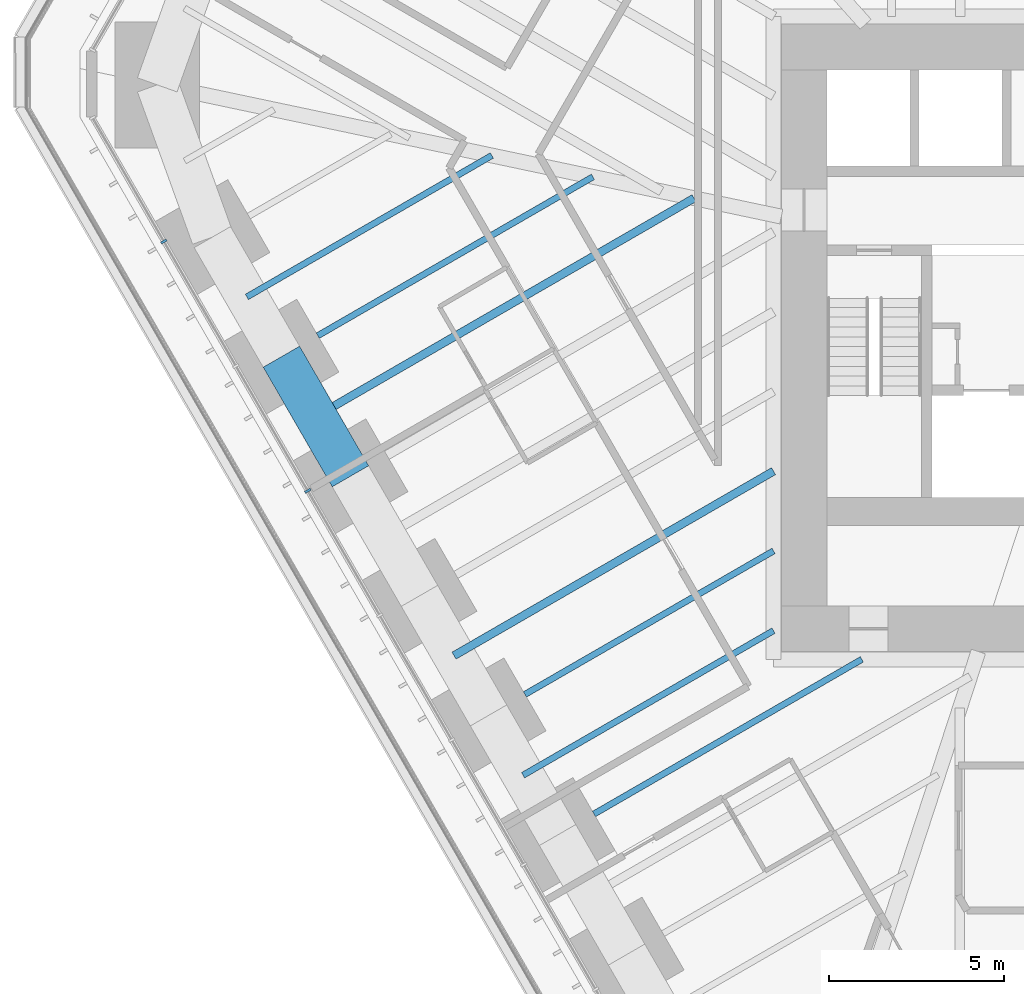
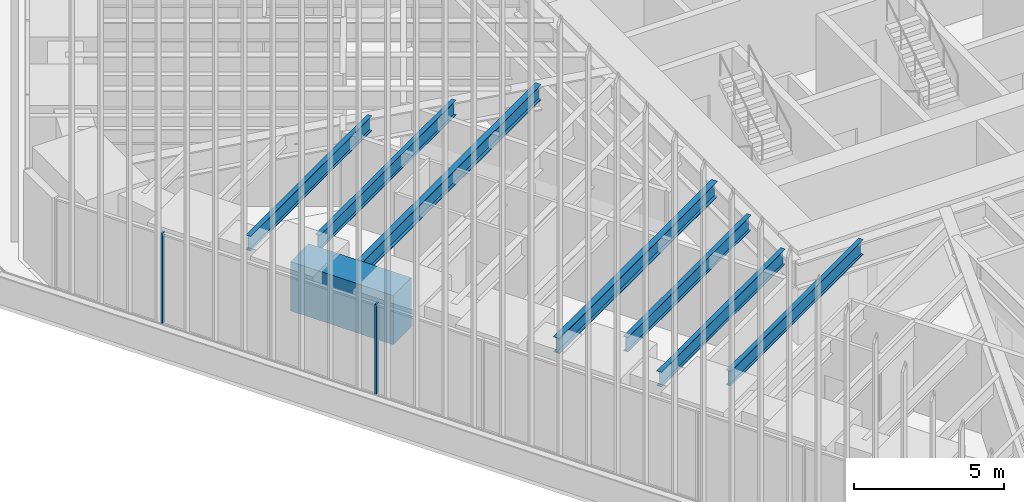
# One storey, part 57 of 238: 8 beams, 2 members, 1 element without a shape of its own.
"""IFC4 building model written with IfcOpenShell, lengths in metres."""

from ifc_helpers import new_model, si_unit, direction, frame, origin, origin_2d, place, context, subcontext, project, spatial, rectangle, i_section, extrude, material, material_profile, profile_set, type_object, element, aggregate, save


model = new_model("IFC4")

# Units and contexts
model_context = context("Model", 3, precision=1e-05, world=origin(), true_north=direction((0.0, 1.0)))
body_context = subcontext(model_context, "Body", "Model", "MODEL_VIEW")
ifc_project = project(units=[si_unit("LENGTHUNIT", "METRE"), si_unit("AREAUNIT", "SQUARE_METRE"), si_unit("VOLUMEUNIT", "CUBIC_METRE"), si_unit("PLANEANGLEUNIT", "RADIAN"), si_unit("MASSUNIT", "GRAM", prefix="KILO")], contexts=[model_context])

# Site, building, storey
site_placement = place(None, origin())
site = spatial("IfcSite", under=ifc_project, at=site_placement, CompositionType="ELEMENT")
building_placement = place(site_placement, origin())
building = spatial("IfcBuilding", under=site, at=building_placement, Name="Sandreach Pilgrim Tower", CompositionType="ELEMENT")
storey_placement = place(building_placement, frame((0.0, 0.0, 96.800048828125)))
storey = spatial("IfcBuildingStorey", under=building, at=storey_placement, Name="L23", CompositionType="ELEMENT", Elevation=96.800048828125)

# Curtain wall, members
ifc_material_1 = material(Name="Aluminium framed curtain wall", Category="aluminium")
curtain_wall_type = type_object("IfcCurtainWallType", Name="Hotel tower curtain wall", PredefinedType="NOTDEFINED", material=ifc_material_1)
curtain_wall_placement = place(storey_placement, origin())
curtain_wall = element("IfcCurtainWall", 1, at=curtain_wall_placement, inside=storey, type_object=curtain_wall_type, Name="CW-2 L23 SW", PredefinedType="NOTDEFINED")
ifc_material_2 = material(Name="Aluminium extrusion", Category="aluminium")
ifc_material_profile_1 = material_profile(ifc_material_2, rectangle(XDim=0.06494140625, YDim=0.179931640625, at=origin_2d()), Name="CW-2M 65X180")
ifc_profile_set_1 = profile_set([ifc_material_profile_1], Name="Aluminium extrusion")
member_type = type_object("IfcMemberType", Name="CW-2 mullion", PredefinedType="MULLION", material=ifc_profile_set_1)
member_1_placement = place(storey_placement, frame((-22.560302734375, -5.911865234375, 0.0), z_axis=(0.0, 0.0, 1.0), x_axis=(-0.5, 0.866025403784, 0.0)))
member_1 = element("IfcMember", 2, at=member_1_placement, type_object=member_type, Name="CW-2 mullion 7", PredefinedType="MULLION", context=body_context, shape_type="SweptSolid", body=[
    extrude(rectangle(XDim=0.06494140625, YDim=0.179931640625, at=origin_2d()), origin(), (0.0, 0.0, 1.0), 3.639892578125),
])
member_2_placement = place(storey_placement, frame((-26.66748046875, 1.20166015625, 0.0), z_axis=(0.0, 0.0, 1.0), x_axis=(-0.5, 0.866025403784, 0.0)))
member_2 = element("IfcMember", 3, at=member_2_placement, type_object=member_type, Name="CW-2 mullion 9", PredefinedType="MULLION", context=body_context, shape_type="SweptSolid", body=[
    extrude(rectangle(XDim=0.06494140625, YDim=0.179931640625, at=origin_2d()), origin(), (0.0, 0.0, 1.0), 3.639892578125),
])
aggregate(curtain_wall, [member_1, member_2])

# Beams
ifc_material_3 = material(Name="Steel ASTM A992 Grade 50", Category="steel")
ifc_material_profile_2 = material_profile(ifc_material_3, i_section(OverallWidth=0.1787109375, OverallDepth=0.60205078125, WebThickness=0.010986328125, FlangeThickness=0.014892578125, at=origin_2d()), Name="W24X62")
ifc_profile_set_2 = profile_set([ifc_material_profile_2], Name="Steel ASTM A992 Grade 50")
beam_type_1 = type_object("IfcBeamType", Name="Floor beam W24X62", PredefinedType="BEAM", material=ifc_profile_set_2)
beam_1_placement = place(storey_placement, frame((-14.394775390625, -15.135009765625, 3.3388671875), z_axis=(0.866033575313, 0.49998584623, 0.0), x_axis=(-0.49998584623, 0.866033575313, 0.0)))
element("IfcBeam", 4, at=beam_1_placement, inside=storey, type_object=beam_type_1, Name="BM L23 F29", PredefinedType="BEAM", context=body_context, shape_type="SweptSolid", body=[
    extrude(i_section(OverallWidth=0.1787109375, OverallDepth=0.60205078125, WebThickness=0.010986328125, FlangeThickness=0.014892578125, at=origin_2d()), origin(), (0.0, 0.0, 1.0), 8.825927734375),
])
beam_2_placement = place(storey_placement, frame((-16.36474609375, -11.722900390625, 3.3388671875), z_axis=(0.866027727466, 0.499995975244, 0.0), x_axis=(-0.499995975244, 0.866027727466, 0.0)))
element("IfcBeam", 5, at=beam_2_placement, inside=storey, type_object=beam_type_1, Name="BM L23 F30", PredefinedType="BEAM", context=body_context, shape_type="SweptSolid", body=[
    extrude(i_section(OverallWidth=0.1787109375, OverallDepth=0.60205078125, WebThickness=0.010986328125, FlangeThickness=0.014892578125, at=origin_2d()), origin(), (0.0, 0.0, 1.0), 8.18994140625),
])
beam_3_placement = place(storey_placement, frame((-22.274658203125, -1.486572265625, 3.3388671875), z_axis=(0.866020076177, 0.500009227573, 0.0), x_axis=(-0.500009227573, 0.866020076177, 0.0)))
element("IfcBeam", 6, at=beam_3_placement, inside=storey, type_object=beam_type_1, Name="BM L23 F33", PredefinedType="BEAM", context=body_context, shape_type="SweptSolid", body=[
    extrude(i_section(OverallWidth=0.1787109375, OverallDepth=0.60205078125, WebThickness=0.010986328125, FlangeThickness=0.014892578125, at=origin_2d()), origin(), (0.0, 0.0, 1.0), 9.064208984375),
])
beam_4_placement = place(storey_placement, frame((-16.4189453125, -14.029052734375, 3.3388671875), z_axis=(0.866029910079, 0.499992194788, 0.0), x_axis=(-0.499992194788, 0.866029910079, 0.0)))
element("IfcBeam", 7, at=beam_4_placement, inside=storey, type_object=beam_type_1, Name="BM L23 FM29", PredefinedType="BEAM", context=body_context, shape_type="SweptSolid", body=[
    extrude(i_section(OverallWidth=0.1787109375, OverallDepth=0.60205078125, WebThickness=0.010986328125, FlangeThickness=0.014892578125, at=origin_2d()), origin(), (0.0, 0.0, 1.0), 8.252685546875),
])
beam_5_placement = place(storey_placement, frame((-24.298828125, -0.380615234375, 3.3388671875), z_axis=(0.866022864518, 0.500004398112, 0.0), x_axis=(-0.500004398112, 0.866022864518, 0.0)))
element("IfcBeam", 8, at=beam_5_placement, inside=storey, type_object=beam_type_1, Name="BM L23 FM33", PredefinedType="BEAM", context=body_context, shape_type="SweptSolid", body=[
    extrude(i_section(OverallWidth=0.1787109375, OverallDepth=0.60205078125, WebThickness=0.010986328125, FlangeThickness=0.014892578125, at=origin_2d()), origin(), (0.0, 0.0, 1.0), 8.0703125),
])
ifc_material_4 = material(Name="Steel ASTM A992 Grade 50", Category="steel")
ifc_material_profile_3 = material_profile(ifc_material_4, i_section(OverallWidth=0.23046875, OverallDepth=0.6171875, WebThickness=0.01318359375, FlangeThickness=0.022216796875, at=origin_2d()), Name="W24X94")
ifc_profile_set_3 = profile_set([ifc_material_profile_3], Name="Steel ASTM A992 Grade 50")
beam_type_2 = type_object("IfcBeamType", Name="Floor beam W24X94", PredefinedType="BEAM", material=ifc_profile_set_3)
beam_6_placement = place(storey_placement, frame((-18.388916015625, -10.616943359375, 3.331298828125), z_axis=(0.866025314434, 0.50000015476, 0.0), x_axis=(-0.50000015476, 0.866025314434, 0.0)))
element("IfcBeam", 9, at=beam_6_placement, inside=storey, type_object=beam_type_2, Name="BM L23 FM30", PredefinedType="BEAM", context=body_context, shape_type="SweptSolid", body=[
    extrude(i_section(OverallWidth=0.23046875, OverallDepth=0.6171875, WebThickness=0.01318359375, FlangeThickness=0.022216796875, at=origin_2d()), origin(), (0.0, 0.0, 1.0), 10.52734375),
])
beam_7_placement = place(storey_placement, frame((-22.328857421875, -3.792724609375, 3.331298828125), z_axis=(0.866019150617, 0.500010830648, 0.0), x_axis=(-0.500010830648, 0.866019150617, 0.0)))
element("IfcBeam", 10, at=beam_7_placement, inside=storey, type_object=beam_type_2, Name="BM L23 FM32", PredefinedType="BEAM", context=body_context, shape_type="SweptSolid", body=[
    extrude(i_section(OverallWidth=0.23046875, OverallDepth=0.6171875, WebThickness=0.01318359375, FlangeThickness=0.022216796875, at=origin_2d()), origin(), (0.0, 0.0, 1.0), 12.458251953125),
])
ifc_material_5 = material(Name="Concrete 10000 psi", Category="concrete")
ifc_material_profile_4 = material_profile(ifc_material_5, rectangle(XDim=1.199951171875, YDim=2.0, at=origin_2d()), Name="RC1200X2000")
ifc_profile_set_4 = profile_set([ifc_material_profile_4], Name="Concrete 10000 psi")
beam_type_3 = type_object("IfcBeamType", Name="Spandrel beam RC1200X2000", PredefinedType="SPANDREL", material=ifc_profile_set_4)
beam_8_placement = place(storey_placement, frame((-21.343994140625, -5.498779296875, 2.639892578125), z_axis=(-0.49999779889, 0.866026674592, 0.0), x_axis=(-0.866026674592, -0.49999779889, 0.0)))
element("IfcBeam", 11, at=beam_8_placement, inside=storey, type_object=beam_type_3, Name="BM L23 SP32", PredefinedType="SPANDREL", context=body_context, shape_type="SweptSolid", body=[
    extrude(rectangle(XDim=1.199951171875, YDim=2.0, at=origin_2d()), origin(), (0.0, 0.0, 1.0), 3.93994140625),
])

save(model, "model.ifc")
